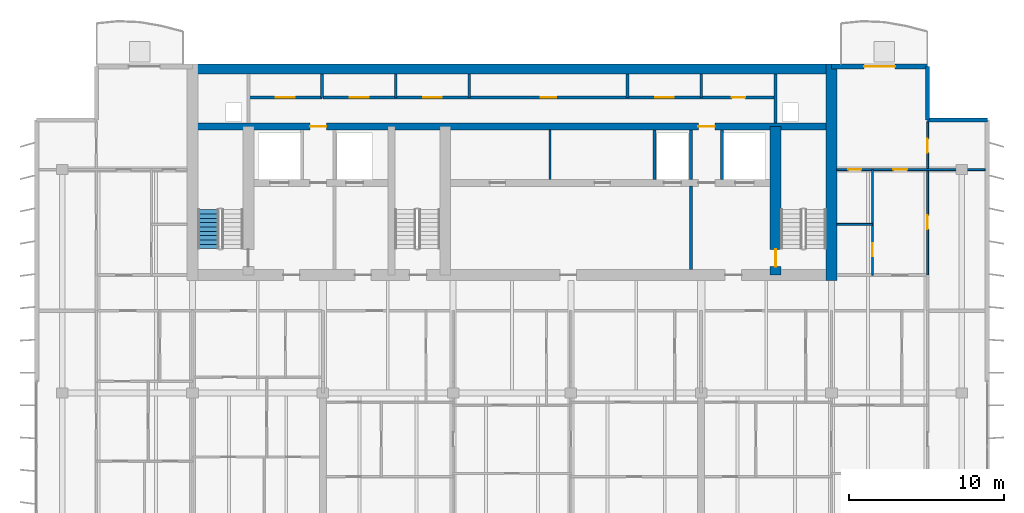
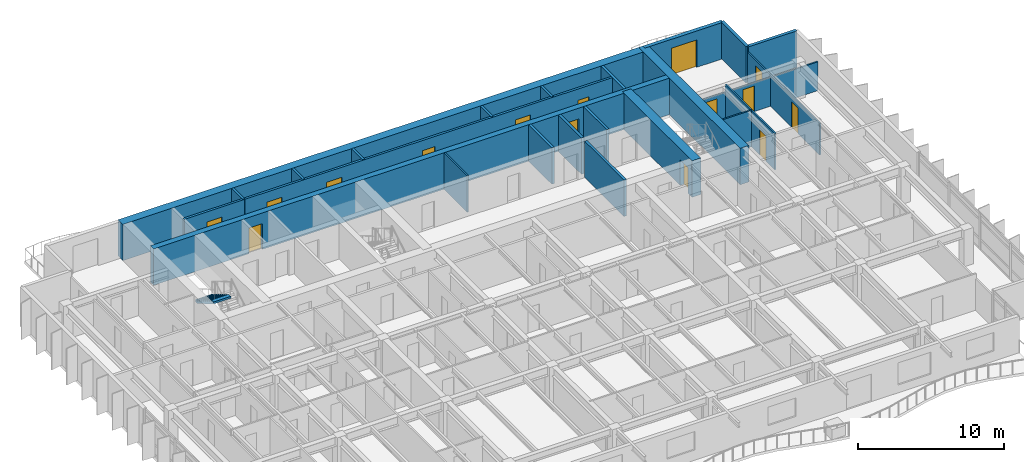
# One storey, part 10 of 16: 24 walls, 15 doors, 1 stair flight, 15 openings, 1 element without a shape of its own.
"""IFC4 building model written with IfcOpenShell, lengths in metres."""

from ifc_helpers import new_model, si_unit, direction, frame, frame_2d, origin, place, context, subcontext, project, spatial, polyline, rectangle, outline, extrude, material, layer, layer_set, type_object, element, fill, aggregate, save


model = new_model("IFC4")

# Units and contexts
model_context = context("Model", 3, precision=1e-05, world=origin(), true_north=direction((0.0, 1.0)))
body_context = subcontext(model_context, "Body", "Model", "MODEL_VIEW")
ifc_project = project(units=[si_unit("LENGTHUNIT", "METRE"), si_unit("AREAUNIT", "SQUARE_METRE"), si_unit("VOLUMEUNIT", "CUBIC_METRE"), si_unit("PLANEANGLEUNIT", "RADIAN"), si_unit("MASSUNIT", "GRAM", prefix="KILO")], contexts=[model_context])

# Site, building, storey
site_placement = place(None, origin())
site = spatial("IfcSite", under=ifc_project, at=site_placement, CompositionType="ELEMENT")
building_placement = place(site_placement, origin())
building = spatial("IfcBuilding", under=site, at=building_placement, Name="Caelmar Bay Residences", CompositionType="ELEMENT")
storey_placement = place(building_placement, frame((0.0, 0.0, 249.60009765625)))
storey = spatial("IfcBuildingStorey", under=building, at=storey_placement, Name="L70", CompositionType="ELEMENT", Elevation=249.60009765625)

# Wall
ifc_material_1 = material(Name="Concrete f'c 55 MPa (8,000 psi)", Category="concrete")
ifc_layer_1 = layer(ifc_material_1, 0.699951171875)
ifc_layer_set_1 = layer_set([ifc_layer_1], Name="Concrete f'c 55 MPa (8,000 psi)")
wall_type_1 = type_object("IfcWallType", Name="SW-COR-700", PredefinedType="SHEAR", material=ifc_layer_set_1)
wall_1_placement = place(storey_placement, frame((59.5, 36.64990234375, 0.0), z_axis=(0.0, 0.0, 1.0), x_axis=(0.0, 1.0, 0.0)))
element("IfcWall", 1, at=wall_1_placement, inside=storey, type_object=wall_type_1, Name="L70 Rear Core East Shear Wall", PredefinedType="SHEAR", context=body_context, shape_type="SweptSolid", body=[
    extrude(rectangle(XDim=13.9501953125, YDim=0.699951171875, at=frame_2d((6.97509765625, 0.0))), origin(), (0.0, 0.0, 1.0), 3.0498046875),
])

# Wall, opening, door
wall_2_placement = place(storey_placement, frame((55.89990234375, 37.0, 0.0), z_axis=(0.0, 0.0, 1.0), x_axis=(0.0, 1.0, 0.0)))
wall_2 = element("IfcWall", 2, at=wall_2_placement, inside=storey, type_object=wall_type_1, Name="L70 Core Structural Web Wall ST2W", PredefinedType="SHEAR", context=body_context, shape_type="SweptSolid", body=[
    extrude(rectangle(XDim=9.574951171875, YDim=0.699951171875, at=frame_2d((4.78759765625, 0.0))), origin(), (0.0, 0.0, 1.0), 3.0498046875),
])
opening_1_placement = place(wall_2_placement, frame((0.550048828125, 0.0, 0.0)))
opening_1 = element("IfcOpeningElement", 3, at=opening_1_placement, cuts=wall_2, Name="Opening D-L70-110", PredefinedType="OPENING", context=body_context, shape_type="SweptSolid", body=[
    extrude(rectangle(XDim=1.10009765625, YDim=2.14990234375, at=frame_2d((0.550048828125, 1.074951171875))), frame((0.0, 0.35986328125, 0.0), z_axis=(0.0, -1.0, 0.0), x_axis=(1.0, 0.0, 0.0)), (0.0, 0.0, 1.0), 0.719970703125),
])
ifc_material_2 = material(Name="Fire-rated steel and walnut architectural door assembly", Category="steel")
ifc_layer_2 = layer(ifc_material_2, 0.050048828125)
ifc_layer_set_2 = layer_set([ifc_layer_2], Name="Fire-rated steel and walnut architectural door assembly")
door_type_1 = type_object("IfcDoorType", Name="D-STAIR-1100", OperationType="NOTDEFINED", PredefinedType="DOOR", material=ifc_layer_set_2)
door_1_placement = place(opening_1_placement, origin())
door_1 = element("IfcDoor", 4, at=door_1_placement, inside=storey, type_object=door_type_1, Name="L70 Firefighting Lobby East Door", OperationType="SINGLE_SWING_RIGHT", OverallHeight=2.14990234375, OverallWidth=1.10009765625, PredefinedType="DOOR", context=body_context, shape_type="SweptSolid", body=[
    extrude(rectangle(XDim=1.10009765625, YDim=2.14990234375, at=frame_2d((0.550048828125, 1.074951171875))), frame((0.0, 0.02490234375, 0.0), z_axis=(0.0, -1.0, 0.0), x_axis=(1.0, 0.0, 0.0)), (0.0, 0.0, 1.0), 0.050048828125),
])
fill(opening_1, door_1)

# Wall
ifc_layer_3 = layer(ifc_material_1, 0.64990234375)
ifc_layer_set_3 = layer_set([ifc_layer_3], Name="Concrete f'c 55 MPa (8,000 psi)")
wall_type_2 = type_object("IfcWallType", Name="SW-CORN-650", PredefinedType="SHEAR", material=ifc_layer_set_3)
wall_3_placement = place(storey_placement, frame((17.949951171875, 50.27490234375, 0.0), z_axis=(0.0, 0.0, 1.0), x_axis=(1.0, 0.0, 0.0)))
element("IfcWall", 5, at=wall_3_placement, inside=storey, type_object=wall_type_2, Name="L70 Rear Core North Shear Wall", PredefinedType="SHEAR", context=body_context, shape_type="SweptSolid", body=[
    extrude(rectangle(XDim=41.900146484375, YDim=0.64990234375, at=frame_2d((20.9501953125, 0.0))), origin(), (0.0, 0.0, 1.0), 3.0498046875),
])

# Wall, openings, doors
ifc_material_3 = material(Name="Concrete f'c 70 MPa (10,000 psi)", Category="concrete")
ifc_layer_4 = layer(ifc_material_3, 0.449951171875)
ifc_layer_set_4 = layer_set([ifc_layer_4], Name="Concrete f'c 70 MPa (10,000 psi)")
wall_type_3 = type_object("IfcWallType", Name="SW-WEB-450", PredefinedType="SHEAR", material=ifc_layer_set_4)
wall_4_placement = place(storey_placement, frame((18.300048828125, 46.574951171875, 0.0), z_axis=(0.0, 0.0, 1.0), x_axis=(1.0, 0.0, 0.0)))
wall_4 = element("IfcWall", 6, at=wall_4_placement, inside=storey, type_object=wall_type_3, Name="L70 Core Structural Web Wall SRVS", PredefinedType="SHEAR", context=body_context, shape_type="SweptSolid", body=[
    extrude(rectangle(XDim=41.199951171875, YDim=0.449951171875, at=frame_2d((20.60009765625, 0.0))), origin(), (0.0, 0.0, 1.0), 3.0498046875),
])
opening_2_placement = place(wall_4_placement, frame((7.574951171875, 0.0, 0.0)))
opening_2 = element("IfcOpeningElement", 7, at=opening_2_placement, cuts=wall_4, Name="Opening D-L70-116", PredefinedType="OPENING", context=body_context, shape_type="SweptSolid", body=[
    extrude(rectangle(XDim=1.050048828125, YDim=2.14990234375, at=frame_2d((0.52490234375, 1.074951171875))), frame((0.0, 0.23486328125, 0.0), z_axis=(0.0, -1.0, 0.0), x_axis=(1.0, 0.0, 0.0)), (0.0, 0.0, 1.0), 0.469970703125),
])
opening_3_placement = place(wall_4_placement, frame((32.625, 0.0, 0.0)))
opening_3 = element("IfcOpeningElement", 8, at=opening_3_placement, cuts=wall_4, Name="Opening D-L70-117", PredefinedType="OPENING", context=body_context, shape_type="SweptSolid", body=[
    extrude(rectangle(XDim=1.050048828125, YDim=2.14990234375, at=frame_2d((0.52490234375, 1.074951171875))), frame((0.0, 0.23486328125, 0.0), z_axis=(0.0, -1.0, 0.0), x_axis=(1.0, 0.0, 0.0)), (0.0, 0.0, 1.0), 0.469970703125),
])
ifc_layer_5 = layer(ifc_material_2, 0.050048828125)
ifc_layer_set_5 = layer_set([ifc_layer_5], Name="Fire-rated steel and walnut architectural door assembly")
door_type_2 = type_object("IfcDoorType", Name="D-FSAE-1050", OperationType="NOTDEFINED", PredefinedType="DOOR", material=ifc_layer_set_5)
door_2_placement = place(opening_2_placement, origin())
door_2 = element("IfcDoor", 9, at=door_2_placement, inside=storey, type_object=door_type_2, Name="L70 Core Service Corridor Door", OperationType="SINGLE_SWING_RIGHT", OverallHeight=2.14990234375, OverallWidth=1.050048828125, PredefinedType="DOOR", context=body_context, shape_type="SweptSolid", body=[
    extrude(rectangle(XDim=1.050048828125, YDim=2.14990234375, at=frame_2d((0.52490234375, 1.074951171875))), frame((0.0, 0.02490234375, 0.0), z_axis=(0.0, -1.0, 0.0), x_axis=(1.0, 0.0, 0.0)), (0.0, 0.0, 1.0), 0.050048828125),
])
fill(opening_2, door_2)
door_3_placement = place(opening_3_placement, origin())
door_3 = element("IfcDoor", 10, at=door_3_placement, inside=storey, type_object=door_type_2, Name="L70 Core Service Corridor Door", OperationType="SINGLE_SWING_LEFT", OverallHeight=2.14990234375, OverallWidth=1.050048828125, PredefinedType="DOOR", context=body_context, shape_type="SweptSolid", body=[
    extrude(rectangle(XDim=1.050048828125, YDim=2.14990234375, at=frame_2d((0.52490234375, 1.074951171875))), frame((0.0, 0.02490234375, 0.0), z_axis=(0.0, -1.0, 0.0), x_axis=(1.0, 0.0, 0.0)), (0.0, 0.0, 1.0), 0.050048828125),
])
fill(opening_3, door_3)

# Walls
ifc_material_4 = material(Name="Double-stud acoustic fire-rated gypsum partition 180 mm")
ifc_layer_6 = layer(ifc_material_4, 0.179931640625)
ifc_layer_set_6 = layer_set([ifc_layer_6], Name="Double-stud acoustic fire-rated gypsum partition 180 mm")
wall_type_4 = type_object("IfcWallType", Name="W-COR-200", PredefinedType="PARTITIONING", material=ifc_layer_set_6)
for number, where, z_axis, x_axis, name in (
    (11, (26.64990234375, 48.449951171875, 0.0), (0.0, 0.0, 1.0), (0.0, 1.0, 0.0), "L70 Partition Wall V020"),
    (12, (31.39990234375, 48.449951171875, 0.0), (0.0, 0.0, 1.0), (0.0, 1.0, 0.0), "L70 Partition Wall V028"),
    (13, (36.14990234375, 48.449951171875, 0.0), (0.0, 0.0, 1.0), (0.0, 1.0, 0.0), "L70 Partition Wall V034"),
    (14, (46.35009765625, 48.449951171875, 0.0), (0.0, 0.0, 1.0), (0.0, 1.0, 0.0), "L70 Partition Wall V041"),
    (15, (51.10009765625, 48.449951171875, 0.0), (0.0, 0.0, 1.0), (0.0, 1.0, 0.0), "L70 Partition Wall V051"),
):
    element("IfcWall", number, at=place(storey_placement, frame(where, z_axis=z_axis, x_axis=x_axis)), inside=storey, type_object=wall_type_4, Name=name, PredefinedType="PARTITIONING", context=body_context, shape_type="SweptSolid", body=[
        extrude(rectangle(XDim=1.505126953125, YDim=0.179931640625, at=frame_2d((0.75244140625, 0.0))), origin(), (0.0, 0.0, 1.0), 3.0498046875),
    ])

# Wall, opening, door
wall_5_placement = place(storey_placement, frame((21.89990234375, 48.449951171875, 0.0), z_axis=(0.0, 0.0, 1.0), x_axis=(1.0, 0.0, 0.0)))
wall_5 = element("IfcWall", 16, at=wall_5_placement, inside=storey, type_object=wall_type_4, Name="L70 Partition Wall H094", PredefinedType="PARTITIONING", context=body_context, shape_type="SweptSolid", body=[
    extrude(rectangle(XDim=4.75, YDim=0.179931640625, at=frame_2d((2.375, 0.0))), origin(), (0.0, 0.0, 1.0), 3.0498046875),
])
opening_4_placement = place(wall_5_placement, frame((1.77490234375, 0.0, 0.0)))
opening_4 = element("IfcOpeningElement", 17, at=opening_4_placement, cuts=wall_5, Name="Opening D-L70-118", PredefinedType="OPENING", context=body_context, shape_type="SweptSolid", body=[
    extrude(rectangle(XDim=1.199951171875, YDim=2.199951171875, at=frame_2d((0.60009765625, 1.10009765625))), frame((0.0, 0.099853515625, 0.0), z_axis=(0.0, -1.0, 0.0), x_axis=(1.0, 0.0, 0.0)), (0.0, 0.0, 1.0), 0.199951171875),
])
ifc_layer_7 = layer(ifc_material_2, 0.050048828125)
ifc_layer_set_7 = layer_set([ifc_layer_7], Name="Fire-rated steel and walnut architectural door assembly")
door_type_3 = type_object("IfcDoorType", Name="D-PLANT-1200", OperationType="NOTDEFINED", PredefinedType="DOOR", material=ifc_layer_set_7)
door_4_placement = place(opening_4_placement, origin())
door_4 = element("IfcDoor", 18, at=door_4_placement, inside=storey, type_object=door_type_3, Name="L70 Branch Panel Closet Door", OperationType="SINGLE_SWING_RIGHT", OverallHeight=2.199951171875, OverallWidth=1.199951171875, PredefinedType="DOOR", context=body_context, shape_type="SweptSolid", body=[
    extrude(rectangle(XDim=1.199951171875, YDim=2.199951171875, at=frame_2d((0.60009765625, 1.10009765625))), frame((0.0, 0.02490234375, 0.0), z_axis=(0.0, -1.0, 0.0), x_axis=(1.0, 0.0, 0.0)), (0.0, 0.0, 1.0), 0.050048828125),
])
fill(opening_4, door_4)

# Wall, openings, doors
wall_6_placement = place(storey_placement, frame((26.699951171875, 48.449951171875, 0.0), z_axis=(0.0, 0.0, 1.0), x_axis=(1.0, 0.0, 0.0)))
wall_6 = element("IfcWall", 19, at=wall_6_placement, inside=storey, type_object=wall_type_4, Name="L70 Partition Wall H095", PredefinedType="PARTITIONING", context=body_context, shape_type="SweptSolid", body=[
    extrude(rectangle(XDim=29.199951171875, YDim=0.179931640625, at=frame_2d((14.60009765625, 0.0))), origin(), (0.0, 0.0, 1.0), 3.0498046875),
])
opening_5_placement = place(wall_6_placement, frame((1.75, 0.0, 0.0)))
opening_5 = element("IfcOpeningElement", 20, at=opening_5_placement, cuts=wall_6, Name="Opening D-L70-119", PredefinedType="OPENING", context=body_context, shape_type="SweptSolid", body=[
    extrude(rectangle(XDim=1.199951171875, YDim=2.199951171875, at=frame_2d((0.60009765625, 1.10009765625))), frame((0.0, 0.099853515625, 0.0), z_axis=(0.0, -1.0, 0.0), x_axis=(1.0, 0.0, 0.0)), (0.0, 0.0, 1.0), 0.199951171875),
])
opening_6_placement = place(wall_6_placement, frame((6.47509765625, 0.0, 0.0)))
opening_6 = element("IfcOpeningElement", 21, at=opening_6_placement, cuts=wall_6, Name="Opening D-L70-120", PredefinedType="OPENING", context=body_context, shape_type="SweptSolid", body=[
    extrude(rectangle(XDim=1.199951171875, YDim=2.199951171875, at=frame_2d((0.60009765625, 1.10009765625))), frame((0.0, 0.099853515625, 0.0), z_axis=(0.0, -1.0, 0.0), x_axis=(1.0, 0.0, 0.0)), (0.0, 0.0, 1.0), 0.199951171875),
])
opening_7_placement = place(wall_6_placement, frame((14.050048828125, 0.0, 0.0)))
opening_7 = element("IfcOpeningElement", 22, at=opening_7_placement, cuts=wall_6, Name="Opening D-L70-121", PredefinedType="OPENING", context=body_context, shape_type="SweptSolid", body=[
    extrude(rectangle(XDim=1.0, YDim=2.199951171875, at=frame_2d((0.5, 1.10009765625))), frame((0.0, 0.099853515625, 0.0), z_axis=(0.0, -1.0, 0.0), x_axis=(1.0, 0.0, 0.0)), (0.0, 0.0, 1.0), 0.199951171875),
])
opening_8_placement = place(wall_6_placement, frame((21.425048828125, 0.0, 0.0)))
opening_8 = element("IfcOpeningElement", 23, at=opening_8_placement, cuts=wall_6, Name="Opening D-L70-122", PredefinedType="OPENING", context=body_context, shape_type="SweptSolid", body=[
    extrude(rectangle(XDim=1.199951171875, YDim=2.199951171875, at=frame_2d((0.60009765625, 1.10009765625))), frame((0.0, 0.099853515625, 0.0), z_axis=(0.0, -1.0, 0.0), x_axis=(1.0, 0.0, 0.0)), (0.0, 0.0, 1.0), 0.199951171875),
])
opening_9_placement = place(wall_6_placement, frame((26.375, 0.0, 0.0)))
opening_9 = element("IfcOpeningElement", 24, at=opening_9_placement, cuts=wall_6, Name="Opening D-L70-123", PredefinedType="OPENING", context=body_context, shape_type="SweptSolid", body=[
    extrude(rectangle(XDim=0.85009765625, YDim=2.10009765625, at=frame_2d((0.425048828125, 1.050048828125))), frame((0.0, 0.099853515625, 0.0), z_axis=(0.0, -1.0, 0.0), x_axis=(1.0, 0.0, 0.0)), (0.0, 0.0, 1.0), 0.199951171875),
])
ifc_layer_8 = layer(ifc_material_2, 0.050048828125)
ifc_layer_set_8 = layer_set([ifc_layer_8], Name="Fire-rated steel and walnut architectural door assembly")
door_type_4 = type_object("IfcDoorType", Name="D-CORE-850", OperationType="NOTDEFINED", PredefinedType="DOOR", material=ifc_layer_set_8)
door_5_placement = place(opening_9_placement, origin())
door_5 = element("IfcDoor", 25, at=door_5_placement, inside=storey, type_object=door_type_4, Name="L70 Staff Restroom Door", OperationType="SINGLE_SWING_LEFT", OverallHeight=2.10009765625, OverallWidth=0.85009765625, PredefinedType="DOOR", context=body_context, shape_type="SweptSolid", body=[
    extrude(rectangle(XDim=0.85009765625, YDim=2.10009765625, at=frame_2d((0.425048828125, 1.050048828125))), frame((0.0, 0.02490234375, 0.0), z_axis=(0.0, -1.0, 0.0), x_axis=(1.0, 0.0, 0.0)), (0.0, 0.0, 1.0), 0.050048828125),
])
fill(opening_9, door_5)
door_6_placement = place(opening_5_placement, origin())
door_6 = element("IfcDoor", 26, at=door_6_placement, inside=storey, type_object=door_type_3, Name="L70 Water Meter Closet Door", OperationType="SINGLE_SWING_LEFT", OverallHeight=2.199951171875, OverallWidth=1.199951171875, PredefinedType="DOOR", context=body_context, shape_type="SweptSolid", body=[
    extrude(rectangle(XDim=1.199951171875, YDim=2.199951171875, at=frame_2d((0.60009765625, 1.10009765625))), frame((0.0, 0.02490234375, 0.0), z_axis=(0.0, -1.0, 0.0), x_axis=(1.0, 0.0, 0.0)), (0.0, 0.0, 1.0), 0.050048828125),
])
fill(opening_5, door_6)
door_7_placement = place(opening_6_placement, origin())
door_7 = element("IfcDoor", 27, at=door_7_placement, inside=storey, type_object=door_type_3, Name="L70 Low-Voltage Data Closet Door", OperationType="SINGLE_SWING_RIGHT", OverallHeight=2.199951171875, OverallWidth=1.199951171875, PredefinedType="DOOR", context=body_context, shape_type="SweptSolid", body=[
    extrude(rectangle(XDim=1.199951171875, YDim=2.199951171875, at=frame_2d((0.60009765625, 1.10009765625))), frame((0.0, 0.02490234375, 0.0), z_axis=(0.0, -1.0, 0.0), x_axis=(1.0, 0.0, 0.0)), (0.0, 0.0, 1.0), 0.050048828125),
])
fill(opening_6, door_7)
door_8_placement = place(opening_8_placement, origin())
door_8 = element("IfcDoor", 28, at=door_8_placement, inside=storey, type_object=door_type_3, Name="L70 Valet Trunk Closet Door", OperationType="SINGLE_SWING_RIGHT", OverallHeight=2.199951171875, OverallWidth=1.199951171875, PredefinedType="DOOR", context=body_context, shape_type="SweptSolid", body=[
    extrude(rectangle(XDim=1.199951171875, YDim=2.199951171875, at=frame_2d((0.60009765625, 1.10009765625))), frame((0.0, 0.02490234375, 0.0), z_axis=(0.0, -1.0, 0.0), x_axis=(1.0, 0.0, 0.0)), (0.0, 0.0, 1.0), 0.050048828125),
])
fill(opening_8, door_8)
ifc_layer_9 = layer(ifc_material_2, 0.050048828125)
ifc_layer_set_9 = layer_set([ifc_layer_9], Name="Fire-rated steel and walnut architectural door assembly")
door_type_5 = type_object("IfcDoorType", Name="D-UNIT-1000", OperationType="NOTDEFINED", PredefinedType="DOOR", material=ifc_layer_set_9)
door_9_placement = place(opening_7_placement, origin())
door_9 = element("IfcDoor", 29, at=door_9_placement, inside=storey, type_object=door_type_5, Name="L70 Mail Sorting Office Door", OperationType="SINGLE_SWING_LEFT", OverallHeight=2.199951171875, OverallWidth=1.0, PredefinedType="DOOR", context=body_context, shape_type="SweptSolid", body=[
    extrude(rectangle(XDim=1.0, YDim=2.199951171875, at=frame_2d((0.5, 1.10009765625))), frame((0.0, 0.02490234375, 0.0), z_axis=(0.0, -1.0, 0.0), x_axis=(1.0, 0.0, 0.0)), (0.0, 0.0, 1.0), 0.050048828125),
])
fill(opening_7, door_9)

# Walls
ifc_material_5 = material(Name="Precast concrete f'c 40 MPa (6,000 psi)", Category="concrete")
ifc_layer_10 = layer(ifc_material_5, 0.25)
ifc_layer_set_10 = layer_set([ifc_layer_10], Name="Precast concrete f'c 40 MPa (6,000 psi)")
wall_type_5 = type_object("IfcWallType", Name="W-EXT-250", PredefinedType="ELEMENTEDWALL", material=ifc_layer_set_10)
wall_7_placement = place(storey_placement, frame((65.699951171875, 50.449951171875, 0.0), z_axis=(0.0, 0.0, 1.0), x_axis=(0.0, -1.0, 0.0)))
element("IfcWall", 30, at=wall_7_placement, inside=storey, type_object=wall_type_5, Name="L70 NNE-V Notch Wall", PredefinedType="ELEMENTEDWALL", context=body_context, shape_type="SweptSolid", body=[
    extrude(rectangle(XDim=3.449951171875, YDim=0.25, at=frame_2d((1.72509765625, 0.0))), origin(), (0.0, 0.0, 1.0), 3.0498046875),
])
wall_8_placement = place(storey_placement, frame((65.699951171875, 47.0, 0.0), z_axis=(0.0, 0.0, 1.0), x_axis=(1.0, 0.0, 0.0)))
element("IfcWall", 31, at=wall_8_placement, inside=storey, type_object=wall_type_5, Name="L70 NNE-H Notch Wall", PredefinedType="ELEMENTEDWALL", context=body_context, shape_type="SweptSolid", body=[
    extrude(rectangle(XDim=3.85009765625, YDim=0.25, at=frame_2d((1.925048828125, 0.0))), origin(), (0.0, 0.0, 1.0), 3.0498046875),
])

# Wall, opening, door
ifc_layer_11 = layer(ifc_material_5, 0.300048828125)
ifc_layer_set_11 = layer_set([ifc_layer_11], Name="Precast concrete f'c 40 MPa (6,000 psi)")
wall_type_6 = type_object("IfcWallType", Name="W-EXT-300", PredefinedType="STANDARD", material=ifc_layer_set_11)
wall_9_placement = place(storey_placement, frame((59.5, 50.449951171875, 0.0), z_axis=(0.0, 0.0, 1.0), x_axis=(1.0, 0.0, 0.0)))
wall_9 = element("IfcWall", 32, at=wall_9_placement, inside=storey, type_object=wall_type_6, Name="L70 North-East Wing Exterior Wall", PredefinedType="STANDARD", context=body_context, shape_type="SweptSolid", body=[
    extrude(rectangle(XDim=6.199951171875, YDim=0.300048828125, at=frame_2d((3.10009765625, 0.0))), origin(), (0.0, 0.0, 1.0), 3.0498046875),
])
opening_10_placement = place(wall_9_placement, frame((2.10009765625, 0.0, 0.0)))
opening_10 = element("IfcOpeningElement", 33, at=opening_10_placement, cuts=wall_9, Name="Opening L70-BDNE", PredefinedType="OPENING", context=body_context, shape_type="SweptSolid", body=[
    extrude(rectangle(XDim=2.0, YDim=2.300048828125, at=frame_2d((1.0, 1.14990234375))), frame((0.0, 0.159912109375, 0.0), z_axis=(0.0, -1.0, 0.0), x_axis=(1.0, 0.0, 0.0)), (0.0, 0.0, 1.0), 0.320068359375),
])
ifc_material_6 = material(Name="Anodised bronze thermally broken sliding glass door", Category="glass")
ifc_layer_12 = layer(ifc_material_6, 0.050048828125)
ifc_layer_set_12 = layer_set([ifc_layer_12], Name="Anodised bronze thermally broken sliding glass door")
door_type_6 = type_object("IfcDoorType", Name="D-BAL-2000", OperationType="DOUBLE_DOOR_SLIDING", PredefinedType="DOOR", material=ifc_layer_set_12)
door_10_placement = place(opening_10_placement, origin())
door_10 = element("IfcDoor", 34, at=door_10_placement, inside=storey, type_object=door_type_6, Name="L70 North-East Balcony Door", OperationType="DOUBLE_DOOR_SLIDING", OverallHeight=2.300048828125, OverallWidth=2.0, PredefinedType="DOOR", context=body_context, shape_type="SweptSolid", body=[
    extrude(rectangle(XDim=2.0, YDim=2.300048828125, at=frame_2d((1.0, 1.14990234375))), frame((0.0, 0.02490234375, 0.0), z_axis=(0.0, -1.0, 0.0), x_axis=(1.0, 0.0, 0.0)), (0.0, 0.0, 1.0), 0.050048828125),
])
fill(opening_10, door_10)

# Walls
ifc_material_7 = material(Name="Fire-rated masonry and gypsum shaftliner assembly 200 mm", Category="masonry")
ifc_layer_13 = layer(ifc_material_7, 0.199951171875)
ifc_layer_set_13 = layer_set([ifc_layer_13], Name="Fire-rated masonry and gypsum shaftliner assembly 200 mm")
wall_type_7 = type_object("IfcWallType", Name="W-FSAE-200", PredefinedType="PARTITIONING", material=ifc_layer_set_13)
wall_10_placement = place(storey_placement, frame((48.10009765625, 43.169921875, 0.0), z_axis=(0.0, 0.0, 1.0), x_axis=(0.0, 1.0, 0.0)))
element("IfcWall", 35, at=wall_10_placement, inside=storey, type_object=wall_type_7, Name="L70 Partition Wall V042", PredefinedType="PARTITIONING", context=body_context, shape_type="SweptSolid", body=[
    extrude(rectangle(XDim=3.18505859375, YDim=0.199951171875, at=frame_2d((1.592529296875, 0.0))), origin(), (0.0, 0.0, 1.0), 3.0498046875),
])
wall_11_placement = place(storey_placement, frame((50.449951171875, 37.344970703125, 0.0), z_axis=(0.0, 0.0, 1.0), x_axis=(0.0, 1.0, 0.0)))
element("IfcWall", 36, at=wall_11_placement, inside=storey, type_object=wall_type_7, Name="L70 Partition Wall V045", PredefinedType="PARTITIONING", context=body_context, shape_type="SweptSolid", body=[
    extrude(rectangle(XDim=5.385009765625, YDim=0.199951171875, at=frame_2d((2.6923828125, 0.0))), origin(), (0.0, 0.0, 1.0), 3.0498046875),
])
for number, where, z_axis, x_axis, name in (
    (37, (50.449951171875, 43.169921875, 0.0), (0.0, 0.0, 1.0), (0.0, 1.0, 0.0), "L70 Partition Wall V046"),
    (38, (52.449951171875, 43.169921875, 0.0), (0.0, 0.0, 1.0), (0.0, 1.0, 0.0), "L70 Partition Wall V052"),
):
    element("IfcWall", number, at=place(storey_placement, frame(where, z_axis=z_axis, x_axis=x_axis)), inside=storey, type_object=wall_type_7, Name=name, PredefinedType="PARTITIONING", context=body_context, shape_type="SweptSolid", body=[
        extrude(rectangle(XDim=3.18505859375, YDim=0.199951171875, at=frame_2d((1.592529296875, 0.0))), origin(), (0.0, 0.0, 1.0), 3.0498046875),
    ])
wall_12_placement = place(storey_placement, frame((55.89990234375, 46.794921875, 0.0), z_axis=(0.0, 0.0, 1.0), x_axis=(0.0, 1.0, 0.0)))
element("IfcWall", 39, at=wall_12_placement, inside=storey, type_object=wall_type_7, Name="L70 Partition Wall V054", PredefinedType="PARTITIONING", context=body_context, shape_type="SweptSolid", body=[
    extrude(rectangle(XDim=3.16015625, YDim=0.199951171875, at=frame_2d((1.580078125, 0.0))), origin(), (0.0, 0.0, 1.0), 3.0498046875),
])
ifc_material_8 = material(Name="Acoustic metal-stud gypsum partition 120 mm")
ifc_layer_14 = layer(ifc_material_8, 0.1201171875)
ifc_layer_set_14 = layer_set([ifc_layer_14], Name="Acoustic metal-stud gypsum partition 120 mm")
wall_type_8 = type_object("IfcWallType", Name="W-PRT-120", PredefinedType="PARTITIONING", material=ifc_layer_set_14)
wall_13_placement = place(storey_placement, frame((41.35009765625, 43.169921875, 0.0), z_axis=(0.0, 0.0, 1.0), x_axis=(0.0, 1.0, 0.0)))
element("IfcWall", 40, at=wall_13_placement, inside=storey, type_object=wall_type_8, Name="L70 Partition Wall V037", PredefinedType="PARTITIONING", context=body_context, shape_type="SweptSolid", body=[
    extrude(rectangle(XDim=3.18505859375, YDim=0.1201171875, at=frame_2d((1.592529296875, 0.0))), origin(), (0.0, 0.0, 1.0), 3.0498046875),
])

# Wall, opening, door
wall_14_placement = place(storey_placement, frame((62.14990234375, 37.0, 0.0), z_axis=(0.0, 0.0, 1.0), x_axis=(0.0, 1.0, 0.0)))
wall_14 = element("IfcWall", 41, at=wall_14_placement, inside=storey, type_object=wall_type_8, Name="L70 Partition Wall V060", PredefinedType="PARTITIONING", context=body_context, shape_type="SweptSolid", body=[
    extrude(rectangle(XDim=6.800048828125, YDim=0.1201171875, at=frame_2d((3.39990234375, 0.0))), origin(), (0.0, 0.0, 1.0), 3.0498046875),
])
opening_11_placement = place(wall_14_placement, frame((1.20703125, 0.0, 0.0)))
opening_11 = element("IfcOpeningElement", 42, at=opening_11_placement, cuts=wall_14, Name="Opening D-L70-172", PredefinedType="OPENING", context=body_context, shape_type="SweptSolid", body=[
    extrude(rectangle(XDim=0.85009765625, YDim=2.10009765625, at=frame_2d((0.425048828125, 1.050048828125))), frame((0.0, 0.070068359375, 0.0), z_axis=(0.0, -1.0, 0.0), x_axis=(1.0, 0.0, 0.0)), (0.0, 0.0, 1.0), 0.14013671875),
])
ifc_material_9 = material(Name="Solid walnut timber interior door leaf and frame", Category="wood")
ifc_layer_15 = layer(ifc_material_9, 0.050048828125)
ifc_layer_set_15 = layer_set([ifc_layer_15], Name="Solid walnut timber interior door leaf and frame")
door_type_7 = type_object("IfcDoorType", Name="D-BATH-850", OperationType="NOTDEFINED", PredefinedType="DOOR", material=ifc_layer_set_15)
door_11_placement = place(opening_11_placement, origin())
door_11 = element("IfcDoor", 43, at=door_11_placement, inside=storey, type_object=door_type_7, Name="L70 Residence EA Walk-In Closet Door", OperationType="SINGLE_SWING_RIGHT", OverallHeight=2.10009765625, OverallWidth=0.85009765625, PredefinedType="DOOR", context=body_context, shape_type="SweptSolid", body=[
    extrude(rectangle(XDim=0.85009765625, YDim=2.10009765625, at=frame_2d((0.425048828125, 1.050048828125))), frame((0.0, 0.02490234375, 0.0), z_axis=(0.0, -1.0, 0.0), x_axis=(1.0, 0.0, 0.0)), (0.0, 0.0, 1.0), 0.050048828125),
])
fill(opening_11, door_11)

# Wall, openings, doors
wall_15_placement = place(storey_placement, frame((65.699951171875, 37.0048828125, 0.0), z_axis=(0.0, 0.0, 1.0), x_axis=(0.0, 1.0, 0.0)))
wall_15 = element("IfcWall", 44, at=wall_15_placement, inside=storey, type_object=wall_type_8, Name="L70 Partition Wall V066", PredefinedType="PARTITIONING", context=body_context, shape_type="SweptSolid", body=[
    extrude(rectangle(XDim=9.875, YDim=0.1201171875, at=frame_2d((4.9375, 0.0))), origin(), (0.0, 0.0, 1.0), 2.62890625),
])
opening_12_placement = place(wall_15_placement, frame((2.947509765625, 0.0, 0.0)))
opening_12 = element("IfcOpeningElement", 45, at=opening_12_placement, cuts=wall_15, Name="Opening D-L70-174", PredefinedType="OPENING", context=body_context, shape_type="SweptSolid", body=[
    extrude(rectangle(XDim=0.89990234375, YDim=2.14990234375, at=frame_2d((0.449951171875, 1.074951171875))), frame((0.0, 0.070068359375, 0.0), z_axis=(0.0, -1.0, 0.0), x_axis=(1.0, 0.0, 0.0)), (0.0, 0.0, 1.0), 0.14013671875),
])
opening_13_placement = place(wall_15_placement, frame((7.885009765625, 0.0, 0.0)))
opening_13 = element("IfcOpeningElement", 46, at=opening_13_placement, cuts=wall_15, Name="Opening D-L70-175", PredefinedType="OPENING", context=body_context, shape_type="SweptSolid", body=[
    extrude(rectangle(XDim=0.89990234375, YDim=2.14990234375, at=frame_2d((0.449951171875, 1.074951171875))), frame((0.0, 0.070068359375, 0.0), z_axis=(0.0, -1.0, 0.0), x_axis=(1.0, 0.0, 0.0)), (0.0, 0.0, 1.0), 0.14013671875),
])
ifc_layer_16 = layer(ifc_material_9, 0.050048828125)
ifc_layer_set_16 = layer_set([ifc_layer_16], Name="Solid walnut timber interior door leaf and frame")
door_type_8 = type_object("IfcDoorType", Name="D-ROOM-900", OperationType="NOTDEFINED", PredefinedType="DOOR", material=ifc_layer_set_16)
door_12_placement = place(opening_12_placement, origin())
door_12 = element("IfcDoor", 47, at=door_12_placement, inside=storey, type_object=door_type_8, Name="L70 Residence EA Sun Study Door", OperationType="SINGLE_SWING_RIGHT", OverallHeight=2.14990234375, OverallWidth=0.89990234375, PredefinedType="DOOR", context=body_context, shape_type="SweptSolid", body=[
    extrude(rectangle(XDim=0.89990234375, YDim=2.14990234375, at=frame_2d((0.449951171875, 1.074951171875))), frame((0.0, 0.02490234375, 0.0), z_axis=(0.0, -1.0, 0.0), x_axis=(1.0, 0.0, 0.0)), (0.0, 0.0, 1.0), 0.050048828125),
])
fill(opening_12, door_12)
door_13_placement = place(opening_13_placement, origin())
door_13 = element("IfcDoor", 48, at=door_13_placement, inside=storey, type_object=door_type_8, Name="L70 Residence EA North Sitting Alcove Door", OperationType="SINGLE_SWING_LEFT", OverallHeight=2.14990234375, OverallWidth=0.89990234375, PredefinedType="DOOR", context=body_context, shape_type="SweptSolid", body=[
    extrude(rectangle(XDim=0.89990234375, YDim=2.14990234375, at=frame_2d((0.449951171875, 1.074951171875))), frame((0.0, 0.02490234375, 0.0), z_axis=(0.0, -1.0, 0.0), x_axis=(1.0, 0.0, 0.0)), (0.0, 0.0, 1.0), 0.050048828125),
])
fill(opening_13, door_13)

# Wall
wall_16_placement = place(storey_placement, frame((59.844970703125, 40.263916015625, 0.0), z_axis=(0.0, 0.0, 1.0), x_axis=(1.0, 0.0, 0.0)))
element("IfcWall", 49, at=wall_16_placement, inside=storey, type_object=wall_type_8, Name="L70 Partition Wall H091", PredefinedType="PARTITIONING", context=body_context, shape_type="SweptSolid", body=[
    extrude(rectangle(XDim=2.304931640625, YDim=0.1201171875, at=frame_2d((1.15234375, 0.0))), origin(), (0.0, 0.0, 1.0), 3.0498046875),
])

# Wall, openings, doors
wall_17_placement = place(storey_placement, frame((59.844970703125, 43.800048828125, 0.0), z_axis=(0.0, 0.0, 1.0), x_axis=(1.0, 0.0, 0.0)))
wall_17 = element("IfcWall", 50, at=wall_17_placement, inside=storey, type_object=wall_type_8, Name="L70 Partition Wall H093", PredefinedType="PARTITIONING", context=body_context, shape_type="SweptSolid", body=[
    extrude(rectangle(XDim=9.56005859375, YDim=0.1201171875, at=frame_2d((4.780029296875, 0.0))), origin(), (0.0, 0.0, 1.0), 2.41796875),
])
opening_14_placement = place(wall_17_placement, frame((3.6298828125, 0.0, 0.0)))
opening_14 = element("IfcOpeningElement", 51, at=opening_14_placement, cuts=wall_17, Name="Opening D-L70-171", PredefinedType="OPENING", context=body_context, shape_type="SweptSolid", body=[
    extrude(rectangle(XDim=0.89990234375, YDim=2.14990234375, at=frame_2d((0.449951171875, 1.074951171875))), frame((0.0, 0.070068359375, 0.0), z_axis=(0.0, -1.0, 0.0), x_axis=(1.0, 0.0, 0.0)), (0.0, 0.0, 1.0), 0.14013671875),
])
opening_15_placement = place(wall_17_placement, frame((0.7275390625, 0.0, 0.0)))
opening_15 = element("IfcOpeningElement", 52, at=opening_15_placement, cuts=wall_17, Name="Opening D-L70-173", PredefinedType="OPENING", context=body_context, shape_type="SweptSolid", body=[
    extrude(rectangle(XDim=0.85009765625, YDim=2.10009765625, at=frame_2d((0.425048828125, 1.050048828125))), frame((0.0, 0.070068359375, 0.0), z_axis=(0.0, -1.0, 0.0), x_axis=(1.0, 0.0, 0.0)), (0.0, 0.0, 1.0), 0.14013671875),
])
door_14_placement = place(opening_15_placement, origin())
door_14 = element("IfcDoor", 53, at=door_14_placement, inside=storey, type_object=door_type_7, Name="L70 Residence EA Bathroom Door", OperationType="SINGLE_SWING_LEFT", OverallHeight=2.10009765625, OverallWidth=0.85009765625, PredefinedType="DOOR", context=body_context, shape_type="SweptSolid", body=[
    extrude(rectangle(XDim=0.85009765625, YDim=2.10009765625, at=frame_2d((0.425048828125, 1.050048828125))), frame((0.0, 0.02490234375, 0.0), z_axis=(0.0, -1.0, 0.0), x_axis=(1.0, 0.0, 0.0)), (0.0, 0.0, 1.0), 0.050048828125),
])
fill(opening_15, door_14)
door_15_placement = place(opening_14_placement, origin())
door_15 = element("IfcDoor", 54, at=door_15_placement, inside=storey, type_object=door_type_8, Name="L70 Residence EA Studio Living and Sleeping Room Door", OperationType="SINGLE_SWING_LEFT", OverallHeight=2.14990234375, OverallWidth=0.89990234375, PredefinedType="DOOR", context=body_context, shape_type="SweptSolid", body=[
    extrude(rectangle(XDim=0.89990234375, YDim=2.14990234375, at=frame_2d((0.449951171875, 1.074951171875))), frame((0.0, 0.02490234375, 0.0), z_axis=(0.0, -1.0, 0.0), x_axis=(1.0, 0.0, 0.0)), (0.0, 0.0, 1.0), 0.050048828125),
])
fill(opening_14, door_15)

# Stair, stair flight
ifc_material_10 = material(Name="Concrete f'c 40 MPa (6,000 psi)", Category="concrete")
stair_type = type_object("IfcStairType", Name="ST-TYP-165", PredefinedType="HALF_TURN_STAIR", material=ifc_material_10)
stair_placement = place(storey_placement, origin())
stair = element("IfcStair", 55, at=stair_placement, inside=storey, type_object=stair_type, Name="L70 West Smokeproof Exit Stair ST1", PredefinedType="HALF_TURN_STAIR")
stair_flight_type = type_object("IfcStairFlightType", Name="STF-1350", PredefinedType="STRAIGHT", material=ifc_material_10)
stair_flight_placement = place(storey_placement, frame((19.324951171875, 41.219970703125, 1.64990234375), z_axis=(0.0, 0.0, 1.0), x_axis=(0.0, -1.0, 0.0)))
stair_flight = element("IfcStairFlight", 56, at=stair_flight_placement, type_object=stair_flight_type, Name="ST1 flight 2", NumberOfRisers=10, NumberOfTreads=9, PredefinedType="STRAIGHT", RiserHeight=0.165, TreadLength=0.28, context=body_context, shape_type="SweptSolid", body=[
    extrude(outline(polyline([(0.0, 0.0), (0.0, 0.1650390625), (0.280029296875, 0.1650390625), (0.280029296875, 0.330078125), (0.56005859375, 0.330078125), (0.56005859375, 0.4951171875), (0.840087890625, 0.4951171875), (0.840087890625, 0.659912109375), (1.1201171875, 0.659912109375), (1.1201171875, 0.824951171875), (1.39990234375, 0.824951171875), (1.39990234375, 0.989990234375), (1.679931640625, 0.989990234375), (1.679931640625, 1.155029296875), (1.9599609375, 1.155029296875), (1.9599609375, 1.320068359375), (2.239990234375, 1.320068359375), (2.239990234375, 1.485107421875), (2.52001953125, 1.485107421875), (2.52001953125, 1.64990234375), (2.52001953125, 1.31103515625), (0.295166015625, 0.0), (0.0, 0.0)])), frame((0.0, 0.675048828125, 0.0), z_axis=(0.0, -1.0, 0.0), x_axis=(1.0, 0.0, 0.0)), (0.0, 0.0, 1.0), 1.35009765625),
])
aggregate(stair, [stair_flight])

save(model, "model.ifc")
